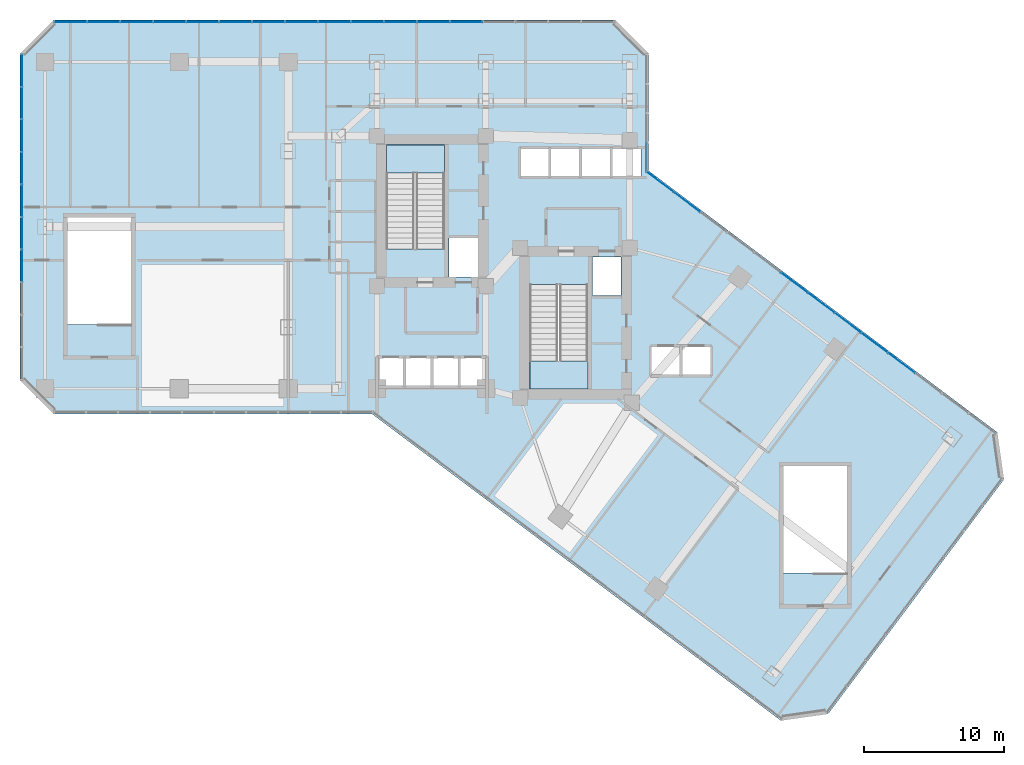
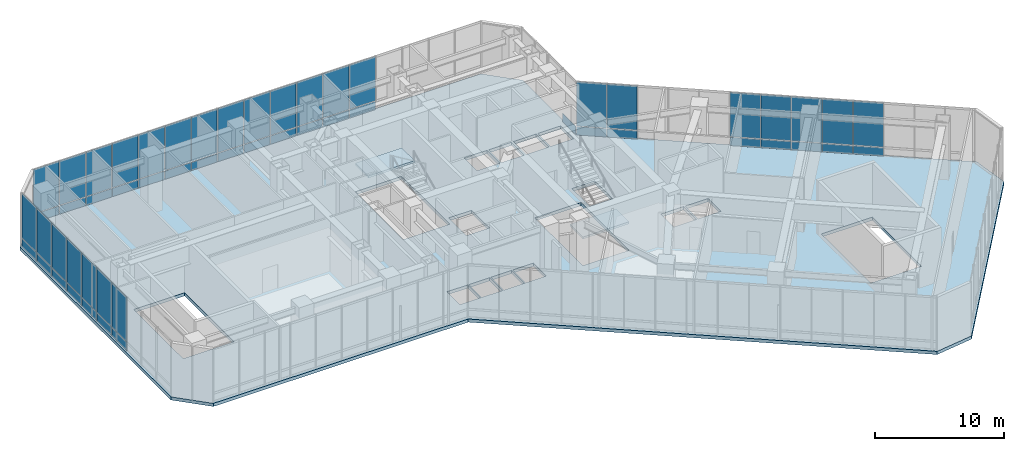
# One storey, part 31 of 38: 55 plates, 3 slabs, 6 elements without a shape of their own.
"""IFC4 building model written with IfcOpenShell, lengths in metres."""

from ifc_helpers import new_model, si_unit, direction, frame, origin, origin_2d, place, context, subcontext, project, spatial, polyline, rectangle, outline, extrude, material, layer, layer_set, type_object, element, aggregate, save


model = new_model("IFC4")

# Units and contexts
model_context = context("Model", 3, precision=1e-05, world=origin(), true_north=direction((0.0, 1.0)))
body_context = subcontext(model_context, "Body", "Model", "MODEL_VIEW")
ifc_project = project(units=[si_unit("LENGTHUNIT", "METRE"), si_unit("AREAUNIT", "SQUARE_METRE"), si_unit("VOLUMEUNIT", "CUBIC_METRE"), si_unit("PLANEANGLEUNIT", "RADIAN"), si_unit("MASSUNIT", "GRAM", prefix="KILO")], contexts=[model_context])

# Site, building, storey
site_placement = place(None, origin())
site = spatial("IfcSite", under=ifc_project, at=site_placement, CompositionType="ELEMENT")
building_placement = place(site_placement, origin())
building = spatial("IfcBuilding", under=site, at=building_placement, Name="Hatsunagi Terrace Concourse", CompositionType="ELEMENT")
storey_placement = place(building_placement, frame((0.0, 0.0, 21.60009765625)))
storey = spatial("IfcBuildingStorey", under=building, at=storey_placement, Name="L05", CompositionType="ELEMENT", Elevation=21.60009765625)

# Curtain wall, plates
ifc_material_1 = material(Name="Anodised Aluminium Alloy 6063-T5", Category="aluminium")
ifc_layer_1 = layer(ifc_material_1, 0.199951171875)
ifc_layer_set_1 = layer_set([ifc_layer_1], Name="PodiumStorefront_CW01")
curtain_wall_type = type_object("IfcCurtainWallType", Name="PodiumStorefront_CW01", PredefinedType="NOTDEFINED", material=ifc_layer_set_1)
curtain_wall_1_placement = place(storey_placement, origin())
curtain_wall_1 = element("IfcCurtainWall", 1, at=curtain_wall_1_placement, inside=storey, type_object=curtain_wall_type, Name="Unitised Curtain Wall CW-01 CW-L05-01", PredefinedType="NOTDEFINED")
ifc_material_2 = material(Name="Warm Terracotta Ceramic Spandrel Panel", Category="masonry")
ifc_layer_2 = layer(ifc_material_2, 0.031982421875)
ifc_layer_set_2 = layer_set([ifc_layer_2], Name="CurtainWallSpandrelPanel_32")
plate_type_1 = type_object("IfcPlateType", Name="CurtainWallSpandrelPanel_32", PredefinedType="SHEET", material=ifc_layer_set_2)
plate_1_placement = place(storey_placement, frame((45.820068359375, 40.010009765625, 0.02978515625), z_axis=(0.0, 0.0, 1.0), x_axis=(0.800007305671, -0.599990258982, 0.0)))
plate_1 = element("IfcPlate", 2, at=plate_1_placement, type_object=plate_type_1, Name="Terracotta Spandrel Panel SPN-01", PredefinedType="SHEET", context=body_context, shape_type="SweptSolid", body=[
    extrude(rectangle(XDim=2.345947265625, YDim=0.031982421875, at=origin_2d()), origin(), (0.0, 0.0, 1.0), 0.7900390625),
])
plate_2_placement = place(storey_placement, frame((47.740966796875, 38.569091796875, 0.02978515625), z_axis=(0.0, 0.0, 1.0), x_axis=(0.800007305671, -0.599990258982, 0.0)))
plate_2 = element("IfcPlate", 3, at=plate_2_placement, type_object=plate_type_1, Name="Terracotta Spandrel Panel SPN-01", PredefinedType="SHEET", context=body_context, shape_type="SweptSolid", body=[
    extrude(rectangle(XDim=2.345947265625, YDim=0.031982421875, at=origin_2d()), origin(), (0.0, 0.0, 1.0), 0.7900390625),
])
plate_3_placement = place(storey_placement, frame((55.424072265625, 32.806884765625, 0.02978515625), z_axis=(0.0, 0.0, 1.0), x_axis=(0.800007305671, -0.599990258982, 0.0)))
plate_3 = element("IfcPlate", 4, at=plate_3_placement, type_object=plate_type_1, Name="Terracotta Spandrel Panel SPN-01", PredefinedType="SHEET", context=body_context, shape_type="SweptSolid", body=[
    extrude(rectangle(XDim=2.345947265625, YDim=0.031982421875, at=origin_2d()), origin(), (0.0, 0.0, 1.0), 0.7900390625),
])
plate_4_placement = place(storey_placement, frame((57.344970703125, 31.365966796875, 0.02978515625), z_axis=(0.0, 0.0, 1.0), x_axis=(0.800007305671, -0.599990258982, 0.0)))
plate_4 = element("IfcPlate", 5, at=plate_4_placement, type_object=plate_type_1, Name="Terracotta Spandrel Panel SPN-01", PredefinedType="SHEET", context=body_context, shape_type="SweptSolid", body=[
    extrude(rectangle(XDim=2.345947265625, YDim=0.031982421875, at=origin_2d()), origin(), (0.0, 0.0, 1.0), 0.7900390625),
])
plate_5_placement = place(storey_placement, frame((59.26611328125, 29.926025390625, 0.02978515625), z_axis=(0.0, 0.0, 1.0), x_axis=(0.800007305671, -0.599990258982, 0.0)))
plate_5 = element("IfcPlate", 6, at=plate_5_placement, type_object=plate_type_1, Name="Terracotta Spandrel Panel SPN-01", PredefinedType="SHEET", context=body_context, shape_type="SweptSolid", body=[
    extrude(rectangle(XDim=2.345947265625, YDim=0.031982421875, at=origin_2d()), origin(), (0.0, 0.0, 1.0), 0.7900390625),
])
plate_6_placement = place(storey_placement, frame((61.18701171875, 28.485107421875, 0.02978515625), z_axis=(0.0, 0.0, 1.0), x_axis=(0.800007305671, -0.599990258982, 0.0)))
plate_6 = element("IfcPlate", 7, at=plate_6_placement, type_object=plate_type_1, Name="Terracotta Spandrel Panel SPN-01", PredefinedType="SHEET", context=body_context, shape_type="SweptSolid", body=[
    extrude(rectangle(XDim=2.345947265625, YDim=0.031982421875, at=origin_2d()), origin(), (0.0, 0.0, 1.0), 0.7900390625),
])
plate_7_placement = place(storey_placement, frame((63.10693359375, 27.044921875, 0.02978515625), z_axis=(0.0, 0.0, 1.0), x_axis=(0.800007305671, -0.599990258982, 0.0)))
plate_7 = element("IfcPlate", 8, at=plate_7_placement, type_object=plate_type_1, Name="Terracotta Spandrel Panel SPN-01", PredefinedType="SHEET", context=body_context, shape_type="SweptSolid", body=[
    extrude(rectangle(XDim=2.345947265625, YDim=0.031982421875, at=origin_2d()), origin(), (0.0, 0.0, 1.0), 0.7900390625),
])

curtain_wall_2_placement = place(storey_placement, origin())
curtain_wall_2 = element("IfcCurtainWall", 9, at=curtain_wall_2_placement, inside=storey, type_object=curtain_wall_type, Name="Unitised Curtain Wall CW-01 CW-L05-09", PredefinedType="NOTDEFINED")
plate_8_placement = place(storey_placement, frame((0.139892578125, 34.007080078125, 0.02978515625), z_axis=(0.0, 0.0, 1.0), x_axis=(0.0, 1.0, 0.0)))
plate_8 = element("IfcPlate", 10, at=plate_8_placement, type_object=plate_type_1, Name="Terracotta Spandrel Panel SPN-01", PredefinedType="SHEET", context=body_context, shape_type="SweptSolid", body=[
    extrude(rectangle(XDim=2.27294921875, YDim=0.031982421875, at=origin_2d()), origin(), (0.0, 0.0, 1.0), 0.7900390625),
])
plate_9_placement = place(storey_placement, frame((0.139892578125, 36.3359375, 0.02978515625), z_axis=(0.0, 0.0, 1.0), x_axis=(0.0, 1.0, 0.0)))
plate_9 = element("IfcPlate", 11, at=plate_9_placement, type_object=plate_type_1, Name="Terracotta Spandrel Panel SPN-01", PredefinedType="SHEET", context=body_context, shape_type="SweptSolid", body=[
    extrude(rectangle(XDim=2.27294921875, YDim=0.031982421875, at=origin_2d()), origin(), (0.0, 0.0, 1.0), 0.7900390625),
])
plate_10_placement = place(storey_placement, frame((0.139892578125, 38.6640625, 0.02978515625), z_axis=(0.0, 0.0, 1.0), x_axis=(0.0, 1.0, 0.0)))
plate_10 = element("IfcPlate", 12, at=plate_10_placement, type_object=plate_type_1, Name="Terracotta Spandrel Panel SPN-01", PredefinedType="SHEET", context=body_context, shape_type="SweptSolid", body=[
    extrude(rectangle(XDim=2.27294921875, YDim=0.031982421875, at=origin_2d()), origin(), (0.0, 0.0, 1.0), 0.7900390625),
])
plate_11_placement = place(storey_placement, frame((0.139892578125, 40.992919921875, 0.02978515625), z_axis=(0.0, 0.0, 1.0), x_axis=(0.0, 1.0, 0.0)))
plate_11 = element("IfcPlate", 13, at=plate_11_placement, type_object=plate_type_1, Name="Terracotta Spandrel Panel SPN-01", PredefinedType="SHEET", context=body_context, shape_type="SweptSolid", body=[
    extrude(rectangle(XDim=2.27294921875, YDim=0.031982421875, at=origin_2d()), origin(), (0.0, 0.0, 1.0), 0.7900390625),
])
plate_12_placement = place(storey_placement, frame((0.139892578125, 43.321044921875, 0.02978515625), z_axis=(0.0, 0.0, 1.0), x_axis=(0.0, 1.0, 0.0)))
plate_12 = element("IfcPlate", 14, at=plate_12_placement, type_object=plate_type_1, Name="Terracotta Spandrel Panel SPN-01", PredefinedType="SHEET", context=body_context, shape_type="SweptSolid", body=[
    extrude(rectangle(XDim=2.27294921875, YDim=0.031982421875, at=origin_2d()), origin(), (0.0, 0.0, 1.0), 0.7900390625),
])
plate_13_placement = place(storey_placement, frame((0.139892578125, 45.64892578125, 0.02978515625), z_axis=(0.0, 0.0, 1.0), x_axis=(0.0, 1.0, 0.0)))
plate_13 = element("IfcPlate", 15, at=plate_13_placement, type_object=plate_type_1, Name="Terracotta Spandrel Panel SPN-01", PredefinedType="SHEET", context=body_context, shape_type="SweptSolid", body=[
    extrude(rectangle(XDim=2.27294921875, YDim=0.031982421875, at=origin_2d()), origin(), (0.0, 0.0, 1.0), 0.7900390625),
])
plate_14_placement = place(storey_placement, frame((0.139892578125, 47.97802734375, 0.02978515625), z_axis=(0.0, 0.0, 1.0), x_axis=(0.0, 1.0, 0.0)))
plate_14 = element("IfcPlate", 16, at=plate_14_placement, type_object=plate_type_1, Name="Terracotta Spandrel Panel SPN-01", PredefinedType="SHEET", context=body_context, shape_type="SweptSolid", body=[
    extrude(rectangle(XDim=2.27294921875, YDim=0.031982421875, at=origin_2d()), origin(), (0.0, 0.0, 1.0), 0.7900390625),
])

curtain_wall_3_placement = place(storey_placement, origin())
curtain_wall_3 = element("IfcCurtainWall", 17, at=curtain_wall_3_placement, inside=storey, type_object=curtain_wall_type, Name="Unitised Curtain Wall CW-01 CW-L05-11", PredefinedType="NOTDEFINED")
plate_15_placement = place(storey_placement, frame((3.636962890625, 51.4599609375, 0.02978515625), z_axis=(0.0, 0.0, 1.0), x_axis=(1.0, 0.0, 0.0)))
plate_15 = element("IfcPlate", 18, at=plate_15_placement, type_object=plate_type_1, Name="Terracotta Spandrel Panel SPN-01", PredefinedType="SHEET", context=body_context, shape_type="SweptSolid", body=[
    extrude(rectangle(XDim=2.302978515625, YDim=0.031982421875, at=origin_2d()), origin(), (0.0, 0.0, 1.0), 0.7900390625),
])
plate_16_placement = place(storey_placement, frame((5.9951171875, 51.4599609375, 0.02978515625), z_axis=(0.0, 0.0, 1.0), x_axis=(1.0, 0.0, 0.0)))
plate_16 = element("IfcPlate", 19, at=plate_16_placement, type_object=plate_type_1, Name="Terracotta Spandrel Panel SPN-01", PredefinedType="SHEET", context=body_context, shape_type="SweptSolid", body=[
    extrude(rectangle(XDim=2.302978515625, YDim=0.031982421875, at=origin_2d()), origin(), (0.0, 0.0, 1.0), 0.7900390625),
])
plate_17_placement = place(storey_placement, frame((8.35302734375, 51.4599609375, 0.02978515625), z_axis=(0.0, 0.0, 1.0), x_axis=(1.0, 0.0, 0.0)))
plate_17 = element("IfcPlate", 20, at=plate_17_placement, type_object=plate_type_1, Name="Terracotta Spandrel Panel SPN-01", PredefinedType="SHEET", context=body_context, shape_type="SweptSolid", body=[
    extrude(rectangle(XDim=2.302978515625, YDim=0.031982421875, at=origin_2d()), origin(), (0.0, 0.0, 1.0), 0.7900390625),
])
plate_18_placement = place(storey_placement, frame((10.7109375, 51.4599609375, 0.02978515625), z_axis=(0.0, 0.0, 1.0), x_axis=(1.0, 0.0, 0.0)))
plate_18 = element("IfcPlate", 21, at=plate_18_placement, type_object=plate_type_1, Name="Terracotta Spandrel Panel SPN-01", PredefinedType="SHEET", context=body_context, shape_type="SweptSolid", body=[
    extrude(rectangle(XDim=2.302978515625, YDim=0.031982421875, at=origin_2d()), origin(), (0.0, 0.0, 1.0), 0.7900390625),
])
plate_19_placement = place(storey_placement, frame((13.068115234375, 51.4599609375, 0.02978515625), z_axis=(0.0, 0.0, 1.0), x_axis=(1.0, 0.0, 0.0)))
plate_19 = element("IfcPlate", 22, at=plate_19_placement, type_object=plate_type_1, Name="Terracotta Spandrel Panel SPN-01", PredefinedType="SHEET", context=body_context, shape_type="SweptSolid", body=[
    extrude(rectangle(XDim=2.302978515625, YDim=0.031982421875, at=origin_2d()), origin(), (0.0, 0.0, 1.0), 0.7900390625),
])
plate_20_placement = place(storey_placement, frame((15.426025390625, 51.4599609375, 0.02978515625), z_axis=(0.0, 0.0, 1.0), x_axis=(1.0, 0.0, 0.0)))
plate_20 = element("IfcPlate", 23, at=plate_20_placement, type_object=plate_type_1, Name="Terracotta Spandrel Panel SPN-01", PredefinedType="SHEET", context=body_context, shape_type="SweptSolid", body=[
    extrude(rectangle(XDim=2.302978515625, YDim=0.031982421875, at=origin_2d()), origin(), (0.0, 0.0, 1.0), 0.7900390625),
])
plate_21_placement = place(storey_placement, frame((17.783935546875, 51.4599609375, 0.02978515625), z_axis=(0.0, 0.0, 1.0), x_axis=(1.0, 0.0, 0.0)))
plate_21 = element("IfcPlate", 24, at=plate_21_placement, type_object=plate_type_1, Name="Terracotta Spandrel Panel SPN-01", PredefinedType="SHEET", context=body_context, shape_type="SweptSolid", body=[
    extrude(rectangle(XDim=2.302978515625, YDim=0.031982421875, at=origin_2d()), origin(), (0.0, 0.0, 1.0), 0.7900390625),
])
plate_22_placement = place(storey_placement, frame((20.14208984375, 51.4599609375, 0.02978515625), z_axis=(0.0, 0.0, 1.0), x_axis=(1.0, 0.0, 0.0)))
plate_22 = element("IfcPlate", 25, at=plate_22_placement, type_object=plate_type_1, Name="Terracotta Spandrel Panel SPN-01", PredefinedType="SHEET", context=body_context, shape_type="SweptSolid", body=[
    extrude(rectangle(XDim=2.302978515625, YDim=0.031982421875, at=origin_2d()), origin(), (0.0, 0.0, 1.0), 0.7900390625),
])
plate_23_placement = place(storey_placement, frame((22.5, 51.4599609375, 0.02978515625), z_axis=(0.0, 0.0, 1.0), x_axis=(1.0, 0.0, 0.0)))
plate_23 = element("IfcPlate", 26, at=plate_23_placement, type_object=plate_type_1, Name="Terracotta Spandrel Panel SPN-01", PredefinedType="SHEET", context=body_context, shape_type="SweptSolid", body=[
    extrude(rectangle(XDim=2.302978515625, YDim=0.031982421875, at=origin_2d()), origin(), (0.0, 0.0, 1.0), 0.7900390625),
])
plate_24_placement = place(storey_placement, frame((24.85791015625, 51.4599609375, 0.02978515625), z_axis=(0.0, 0.0, 1.0), x_axis=(1.0, 0.0, 0.0)))
plate_24 = element("IfcPlate", 27, at=plate_24_placement, type_object=plate_type_1, Name="Terracotta Spandrel Panel SPN-01", PredefinedType="SHEET", context=body_context, shape_type="SweptSolid", body=[
    extrude(rectangle(XDim=2.302978515625, YDim=0.031982421875, at=origin_2d()), origin(), (0.0, 0.0, 1.0), 0.7900390625),
])
plate_25_placement = place(storey_placement, frame((27.216064453125, 51.4599609375, 0.02978515625), z_axis=(0.0, 0.0, 1.0), x_axis=(1.0, 0.0, 0.0)))
plate_25 = element("IfcPlate", 28, at=plate_25_placement, type_object=plate_type_1, Name="Terracotta Spandrel Panel SPN-01", PredefinedType="SHEET", context=body_context, shape_type="SweptSolid", body=[
    extrude(rectangle(XDim=2.302978515625, YDim=0.031982421875, at=origin_2d()), origin(), (0.0, 0.0, 1.0), 0.7900390625),
])
plate_26_placement = place(storey_placement, frame((29.573974609375, 51.4599609375, 0.02978515625), z_axis=(0.0, 0.0, 1.0), x_axis=(1.0, 0.0, 0.0)))
plate_26 = element("IfcPlate", 29, at=plate_26_placement, type_object=plate_type_1, Name="Terracotta Spandrel Panel SPN-01", PredefinedType="SHEET", context=body_context, shape_type="SweptSolid", body=[
    extrude(rectangle(XDim=2.302978515625, YDim=0.031982421875, at=origin_2d()), origin(), (0.0, 0.0, 1.0), 0.7900390625),
])
plate_27_placement = place(storey_placement, frame((31.931884765625, 51.4599609375, 0.02978515625), z_axis=(0.0, 0.0, 1.0), x_axis=(1.0, 0.0, 0.0)))
plate_27 = element("IfcPlate", 30, at=plate_27_placement, type_object=plate_type_1, Name="Terracotta Spandrel Panel SPN-01", PredefinedType="SHEET", context=body_context, shape_type="SweptSolid", body=[
    extrude(rectangle(XDim=2.302978515625, YDim=0.031982421875, at=origin_2d()), origin(), (0.0, 0.0, 1.0), 0.7900390625),
])

# Curtain wall, plate
curtain_wall_4_placement = place(storey_placement, origin())
curtain_wall_4 = element("IfcCurtainWall", 31, at=curtain_wall_4_placement, inside=storey, type_object=curtain_wall_type, Name="Unitised Curtain Wall CW-01 CW-L05-13", PredefinedType="NOTDEFINED")
plate_28_placement = place(storey_placement, frame((44.860107421875, 41.781005859375, 0.02978515625), z_axis=(0.0, 0.0, 1.0), x_axis=(0.0, -1.0, 0.0)))
plate_28 = element("IfcPlate", 32, at=plate_28_placement, type_object=plate_type_1, Name="Terracotta Spandrel Panel SPN-01", PredefinedType="SHEET", context=body_context, shape_type="SweptSolid", body=[
    extrude(rectangle(XDim=2.048095703125, YDim=0.031982421875, at=origin_2d()), origin(), (0.0, 0.0, 1.0), 0.7900390625),
])
aggregate(curtain_wall_4, [plate_28])

# Plate
ifc_material_3 = material(Name="Low-E Double Insulating Glass 28mm", Category="glass")
ifc_layer_3 = layer(ifc_material_3, 0.028076171875)
ifc_layer_set_3 = layer_set([ifc_layer_3], Name="CurtainWallVisionGlass_28")
plate_type_2 = type_object("IfcPlateType", Name="CurtainWallVisionGlass_28", PredefinedType="CURTAIN_PANEL", material=ifc_layer_set_3)
plate_29_placement = place(storey_placement, frame((45.820068359375, 40.010009765625, 0.8798828125), z_axis=(0.0, 0.0, 1.0), x_axis=(0.800007305671, -0.599990258982, 0.0)))
plate_29 = element("IfcPlate", 33, at=plate_29_placement, type_object=plate_type_2, Name="Low-E Vision Glass Panel GLZ-01", PredefinedType="CURTAIN_PANEL", context=body_context, shape_type="SweptSolid", body=[
    extrude(rectangle(XDim=2.345947265625, YDim=0.028076171875, at=origin_2d()), origin(), (0.0, 0.0, 1.0), 4.18994140625),
])

plate_30_placement = place(storey_placement, frame((47.740966796875, 38.569091796875, 0.8798828125), z_axis=(0.0, 0.0, 1.0), x_axis=(0.800007305671, -0.599990258982, 0.0)))
plate_30 = element("IfcPlate", 34, at=plate_30_placement, type_object=plate_type_2, Name="Low-E Vision Glass Panel GLZ-01", PredefinedType="CURTAIN_PANEL", context=body_context, shape_type="SweptSolid", body=[
    extrude(rectangle(XDim=2.345947265625, YDim=0.028076171875, at=origin_2d()), origin(), (0.0, 0.0, 1.0), 4.18994140625),
])

plate_31_placement = place(storey_placement, frame((55.424072265625, 32.806884765625, 0.8798828125), z_axis=(0.0, 0.0, 1.0), x_axis=(0.800007305671, -0.599990258982, 0.0)))
plate_31 = element("IfcPlate", 35, at=plate_31_placement, type_object=plate_type_2, Name="Low-E Vision Glass Panel GLZ-01", PredefinedType="CURTAIN_PANEL", context=body_context, shape_type="SweptSolid", body=[
    extrude(rectangle(XDim=2.345947265625, YDim=0.028076171875, at=origin_2d()), origin(), (0.0, 0.0, 1.0), 4.18994140625),
])

plate_32_placement = place(storey_placement, frame((57.344970703125, 31.365966796875, 0.8798828125), z_axis=(0.0, 0.0, 1.0), x_axis=(0.800007305671, -0.599990258982, 0.0)))
plate_32 = element("IfcPlate", 36, at=plate_32_placement, type_object=plate_type_2, Name="Low-E Vision Glass Panel GLZ-01", PredefinedType="CURTAIN_PANEL", context=body_context, shape_type="SweptSolid", body=[
    extrude(rectangle(XDim=2.345947265625, YDim=0.028076171875, at=origin_2d()), origin(), (0.0, 0.0, 1.0), 4.18994140625),
])

plate_33_placement = place(storey_placement, frame((59.26611328125, 29.926025390625, 0.8798828125), z_axis=(0.0, 0.0, 1.0), x_axis=(0.800007305671, -0.599990258982, 0.0)))
plate_33 = element("IfcPlate", 37, at=plate_33_placement, type_object=plate_type_2, Name="Low-E Vision Glass Panel GLZ-01", PredefinedType="CURTAIN_PANEL", context=body_context, shape_type="SweptSolid", body=[
    extrude(rectangle(XDim=2.345947265625, YDim=0.028076171875, at=origin_2d()), origin(), (0.0, 0.0, 1.0), 4.18994140625),
])

plate_34_placement = place(storey_placement, frame((61.18701171875, 28.485107421875, 0.8798828125), z_axis=(0.0, 0.0, 1.0), x_axis=(0.800007305671, -0.599990258982, 0.0)))
plate_34 = element("IfcPlate", 38, at=plate_34_placement, type_object=plate_type_2, Name="Low-E Vision Glass Panel GLZ-01", PredefinedType="CURTAIN_PANEL", context=body_context, shape_type="SweptSolid", body=[
    extrude(rectangle(XDim=2.345947265625, YDim=0.028076171875, at=origin_2d()), origin(), (0.0, 0.0, 1.0), 4.18994140625),
])

plate_35_placement = place(storey_placement, frame((63.10693359375, 27.044921875, 0.8798828125), z_axis=(0.0, 0.0, 1.0), x_axis=(0.800007305671, -0.599990258982, 0.0)))
plate_35 = element("IfcPlate", 39, at=plate_35_placement, type_object=plate_type_2, Name="Low-E Vision Glass Panel GLZ-01", PredefinedType="CURTAIN_PANEL", context=body_context, shape_type="SweptSolid", body=[
    extrude(rectangle(XDim=2.345947265625, YDim=0.028076171875, at=origin_2d()), origin(), (0.0, 0.0, 1.0), 4.18994140625),
])

aggregate(curtain_wall_1, [plate_1, plate_29, plate_2, plate_30, plate_3, plate_31, plate_4, plate_32, plate_5, plate_33, plate_6, plate_34, plate_7, plate_35])

plate_36_placement = place(storey_placement, frame((0.139892578125, 34.007080078125, 0.8798828125), z_axis=(0.0, 0.0, 1.0), x_axis=(0.0, 1.0, 0.0)))
plate_36 = element("IfcPlate", 40, at=plate_36_placement, type_object=plate_type_2, Name="Low-E Vision Glass Panel GLZ-01", PredefinedType="CURTAIN_PANEL", context=body_context, shape_type="SweptSolid", body=[
    extrude(rectangle(XDim=2.27294921875, YDim=0.028076171875, at=origin_2d()), origin(), (0.0, 0.0, 1.0), 4.18994140625),
])

plate_37_placement = place(storey_placement, frame((0.139892578125, 36.3359375, 0.8798828125), z_axis=(0.0, 0.0, 1.0), x_axis=(0.0, 1.0, 0.0)))
plate_37 = element("IfcPlate", 41, at=plate_37_placement, type_object=plate_type_2, Name="Low-E Vision Glass Panel GLZ-01", PredefinedType="CURTAIN_PANEL", context=body_context, shape_type="SweptSolid", body=[
    extrude(rectangle(XDim=2.27294921875, YDim=0.028076171875, at=origin_2d()), origin(), (0.0, 0.0, 1.0), 4.18994140625),
])

plate_38_placement = place(storey_placement, frame((0.139892578125, 38.6640625, 0.8798828125), z_axis=(0.0, 0.0, 1.0), x_axis=(0.0, 1.0, 0.0)))
plate_38 = element("IfcPlate", 42, at=plate_38_placement, type_object=plate_type_2, Name="Low-E Vision Glass Panel GLZ-01", PredefinedType="CURTAIN_PANEL", context=body_context, shape_type="SweptSolid", body=[
    extrude(rectangle(XDim=2.27294921875, YDim=0.028076171875, at=origin_2d()), origin(), (0.0, 0.0, 1.0), 4.18994140625),
])

plate_39_placement = place(storey_placement, frame((0.139892578125, 40.992919921875, 0.8798828125), z_axis=(0.0, 0.0, 1.0), x_axis=(0.0, 1.0, 0.0)))
plate_39 = element("IfcPlate", 43, at=plate_39_placement, type_object=plate_type_2, Name="Low-E Vision Glass Panel GLZ-01", PredefinedType="CURTAIN_PANEL", context=body_context, shape_type="SweptSolid", body=[
    extrude(rectangle(XDim=2.27294921875, YDim=0.028076171875, at=origin_2d()), origin(), (0.0, 0.0, 1.0), 4.18994140625),
])

plate_40_placement = place(storey_placement, frame((0.139892578125, 43.321044921875, 0.8798828125), z_axis=(0.0, 0.0, 1.0), x_axis=(0.0, 1.0, 0.0)))
plate_40 = element("IfcPlate", 44, at=plate_40_placement, type_object=plate_type_2, Name="Low-E Vision Glass Panel GLZ-01", PredefinedType="CURTAIN_PANEL", context=body_context, shape_type="SweptSolid", body=[
    extrude(rectangle(XDim=2.27294921875, YDim=0.028076171875, at=origin_2d()), origin(), (0.0, 0.0, 1.0), 4.18994140625),
])

plate_41_placement = place(storey_placement, frame((0.139892578125, 45.64892578125, 0.8798828125), z_axis=(0.0, 0.0, 1.0), x_axis=(0.0, 1.0, 0.0)))
plate_41 = element("IfcPlate", 45, at=plate_41_placement, type_object=plate_type_2, Name="Low-E Vision Glass Panel GLZ-01", PredefinedType="CURTAIN_PANEL", context=body_context, shape_type="SweptSolid", body=[
    extrude(rectangle(XDim=2.27294921875, YDim=0.028076171875, at=origin_2d()), origin(), (0.0, 0.0, 1.0), 4.18994140625),
])

plate_42_placement = place(storey_placement, frame((0.139892578125, 47.97802734375, 0.8798828125), z_axis=(0.0, 0.0, 1.0), x_axis=(0.0, 1.0, 0.0)))
plate_42 = element("IfcPlate", 46, at=plate_42_placement, type_object=plate_type_2, Name="Low-E Vision Glass Panel GLZ-01", PredefinedType="CURTAIN_PANEL", context=body_context, shape_type="SweptSolid", body=[
    extrude(rectangle(XDim=2.27294921875, YDim=0.028076171875, at=origin_2d()), origin(), (0.0, 0.0, 1.0), 4.18994140625),
])

aggregate(curtain_wall_2, [plate_8, plate_36, plate_9, plate_37, plate_10, plate_38, plate_11, plate_39, plate_12, plate_40, plate_13, plate_41, plate_14, plate_42])

plate_43_placement = place(storey_placement, frame((3.636962890625, 51.4599609375, 0.8798828125), z_axis=(0.0, 0.0, 1.0), x_axis=(1.0, 0.0, 0.0)))
plate_43 = element("IfcPlate", 47, at=plate_43_placement, type_object=plate_type_2, Name="Low-E Vision Glass Panel GLZ-01", PredefinedType="CURTAIN_PANEL", context=body_context, shape_type="SweptSolid", body=[
    extrude(rectangle(XDim=2.302978515625, YDim=0.028076171875, at=origin_2d()), origin(), (0.0, 0.0, 1.0), 4.18994140625),
])

plate_44_placement = place(storey_placement, frame((5.9951171875, 51.4599609375, 0.8798828125), z_axis=(0.0, 0.0, 1.0), x_axis=(1.0, 0.0, 0.0)))
plate_44 = element("IfcPlate", 48, at=plate_44_placement, type_object=plate_type_2, Name="Low-E Vision Glass Panel GLZ-01", PredefinedType="CURTAIN_PANEL", context=body_context, shape_type="SweptSolid", body=[
    extrude(rectangle(XDim=2.302978515625, YDim=0.028076171875, at=origin_2d()), origin(), (0.0, 0.0, 1.0), 4.18994140625),
])

plate_45_placement = place(storey_placement, frame((8.35302734375, 51.4599609375, 0.8798828125), z_axis=(0.0, 0.0, 1.0), x_axis=(1.0, 0.0, 0.0)))
plate_45 = element("IfcPlate", 49, at=plate_45_placement, type_object=plate_type_2, Name="Low-E Vision Glass Panel GLZ-01", PredefinedType="CURTAIN_PANEL", context=body_context, shape_type="SweptSolid", body=[
    extrude(rectangle(XDim=2.302978515625, YDim=0.028076171875, at=origin_2d()), origin(), (0.0, 0.0, 1.0), 4.18994140625),
])

plate_46_placement = place(storey_placement, frame((10.7109375, 51.4599609375, 0.8798828125), z_axis=(0.0, 0.0, 1.0), x_axis=(1.0, 0.0, 0.0)))
plate_46 = element("IfcPlate", 50, at=plate_46_placement, type_object=plate_type_2, Name="Low-E Vision Glass Panel GLZ-01", PredefinedType="CURTAIN_PANEL", context=body_context, shape_type="SweptSolid", body=[
    extrude(rectangle(XDim=2.302978515625, YDim=0.028076171875, at=origin_2d()), origin(), (0.0, 0.0, 1.0), 4.18994140625),
])

plate_47_placement = place(storey_placement, frame((13.068115234375, 51.4599609375, 0.8798828125), z_axis=(0.0, 0.0, 1.0), x_axis=(1.0, 0.0, 0.0)))
plate_47 = element("IfcPlate", 51, at=plate_47_placement, type_object=plate_type_2, Name="Low-E Vision Glass Panel GLZ-01", PredefinedType="CURTAIN_PANEL", context=body_context, shape_type="SweptSolid", body=[
    extrude(rectangle(XDim=2.302978515625, YDim=0.028076171875, at=origin_2d()), origin(), (0.0, 0.0, 1.0), 4.18994140625),
])

plate_48_placement = place(storey_placement, frame((15.426025390625, 51.4599609375, 0.8798828125), z_axis=(0.0, 0.0, 1.0), x_axis=(1.0, 0.0, 0.0)))
plate_48 = element("IfcPlate", 52, at=plate_48_placement, type_object=plate_type_2, Name="Low-E Vision Glass Panel GLZ-01", PredefinedType="CURTAIN_PANEL", context=body_context, shape_type="SweptSolid", body=[
    extrude(rectangle(XDim=2.302978515625, YDim=0.028076171875, at=origin_2d()), origin(), (0.0, 0.0, 1.0), 4.18994140625),
])

plate_49_placement = place(storey_placement, frame((17.783935546875, 51.4599609375, 0.8798828125), z_axis=(0.0, 0.0, 1.0), x_axis=(1.0, 0.0, 0.0)))
plate_49 = element("IfcPlate", 53, at=plate_49_placement, type_object=plate_type_2, Name="Low-E Vision Glass Panel GLZ-01", PredefinedType="CURTAIN_PANEL", context=body_context, shape_type="SweptSolid", body=[
    extrude(rectangle(XDim=2.302978515625, YDim=0.028076171875, at=origin_2d()), origin(), (0.0, 0.0, 1.0), 4.18994140625),
])

plate_50_placement = place(storey_placement, frame((20.14208984375, 51.4599609375, 0.8798828125), z_axis=(0.0, 0.0, 1.0), x_axis=(1.0, 0.0, 0.0)))
plate_50 = element("IfcPlate", 54, at=plate_50_placement, type_object=plate_type_2, Name="Low-E Vision Glass Panel GLZ-01", PredefinedType="CURTAIN_PANEL", context=body_context, shape_type="SweptSolid", body=[
    extrude(rectangle(XDim=2.302978515625, YDim=0.028076171875, at=origin_2d()), origin(), (0.0, 0.0, 1.0), 4.18994140625),
])

plate_51_placement = place(storey_placement, frame((22.5, 51.4599609375, 0.8798828125), z_axis=(0.0, 0.0, 1.0), x_axis=(1.0, 0.0, 0.0)))
plate_51 = element("IfcPlate", 55, at=plate_51_placement, type_object=plate_type_2, Name="Low-E Vision Glass Panel GLZ-01", PredefinedType="CURTAIN_PANEL", context=body_context, shape_type="SweptSolid", body=[
    extrude(rectangle(XDim=2.302978515625, YDim=0.028076171875, at=origin_2d()), origin(), (0.0, 0.0, 1.0), 4.18994140625),
])

plate_52_placement = place(storey_placement, frame((24.85791015625, 51.4599609375, 0.8798828125), z_axis=(0.0, 0.0, 1.0), x_axis=(1.0, 0.0, 0.0)))
plate_52 = element("IfcPlate", 56, at=plate_52_placement, type_object=plate_type_2, Name="Low-E Vision Glass Panel GLZ-01", PredefinedType="CURTAIN_PANEL", context=body_context, shape_type="SweptSolid", body=[
    extrude(rectangle(XDim=2.302978515625, YDim=0.028076171875, at=origin_2d()), origin(), (0.0, 0.0, 1.0), 4.18994140625),
])

plate_53_placement = place(storey_placement, frame((27.216064453125, 51.4599609375, 0.8798828125), z_axis=(0.0, 0.0, 1.0), x_axis=(1.0, 0.0, 0.0)))
plate_53 = element("IfcPlate", 57, at=plate_53_placement, type_object=plate_type_2, Name="Low-E Vision Glass Panel GLZ-01", PredefinedType="CURTAIN_PANEL", context=body_context, shape_type="SweptSolid", body=[
    extrude(rectangle(XDim=2.302978515625, YDim=0.028076171875, at=origin_2d()), origin(), (0.0, 0.0, 1.0), 4.18994140625),
])

plate_54_placement = place(storey_placement, frame((29.573974609375, 51.4599609375, 0.8798828125), z_axis=(0.0, 0.0, 1.0), x_axis=(1.0, 0.0, 0.0)))
plate_54 = element("IfcPlate", 58, at=plate_54_placement, type_object=plate_type_2, Name="Low-E Vision Glass Panel GLZ-01", PredefinedType="CURTAIN_PANEL", context=body_context, shape_type="SweptSolid", body=[
    extrude(rectangle(XDim=2.302978515625, YDim=0.028076171875, at=origin_2d()), origin(), (0.0, 0.0, 1.0), 4.18994140625),
])

plate_55_placement = place(storey_placement, frame((31.931884765625, 51.4599609375, 0.8798828125), z_axis=(0.0, 0.0, 1.0), x_axis=(1.0, 0.0, 0.0)))
plate_55 = element("IfcPlate", 59, at=plate_55_placement, type_object=plate_type_2, Name="Low-E Vision Glass Panel GLZ-01", PredefinedType="CURTAIN_PANEL", context=body_context, shape_type="SweptSolid", body=[
    extrude(rectangle(XDim=2.302978515625, YDim=0.028076171875, at=origin_2d()), origin(), (0.0, 0.0, 1.0), 4.18994140625),
])

aggregate(curtain_wall_3, [plate_15, plate_43, plate_16, plate_44, plate_17, plate_45, plate_18, plate_46, plate_19, plate_47, plate_20, plate_48, plate_21, plate_49, plate_22, plate_50, plate_23, plate_51, plate_24, plate_52, plate_25, plate_53, plate_26, plate_54, plate_27, plate_55])

# Stair, slab
ifc_material_4 = material(Name="Concrete Fc42", Category="concrete")
stair_type = type_object("IfcStairType", Name="DoglegExitStair_Tower2000_30R_180", PredefinedType="HALF_TURN_STAIR", material=ifc_material_4)
stair_1_placement = place(storey_placement, origin())
stair_1 = element("IfcStair", 60, at=stair_1_placement, inside=storey, type_object=stair_type, Name="L05 Core A Protected Exit Stair ST-A", PredefinedType="HALF_TURN_STAIR")
ifc_material_5 = material(Name="Concrete Fc42", Category="concrete")
ifc_layer_4 = layer(ifc_material_5, 0.199951171875)
ifc_layer_set_4 = layer_set([ifc_layer_4], Name="DoglegStairLanding_Tower2000")
slab_type_1 = type_object("IfcSlabType", Name="DoglegStairLanding_Tower2000", PredefinedType="LANDING", material=ifc_layer_set_4)
slab_1_placement = place(storey_placement, frame((0.0, 0.0, 2.5)))
slab_1 = element("IfcSlab", 61, at=slab_1_placement, type_object=slab_type_1, Name="ST-A landing 1", PredefinedType="LANDING", context=body_context, shape_type="SweptSolid", body=[
    extrude(outline(polyline([(30.3798828125, 40.659912109375), (30.3798828125, 42.659912109375), (26.22998046875, 42.659912109375), (26.22998046875, 40.659912109375), (30.3798828125, 40.659912109375)])), origin(), (0.0, 0.0, 1.0), 0.199951171875),
])
aggregate(stair_1, [slab_1])

stair_2_placement = place(storey_placement, origin())
stair_2 = element("IfcStair", 62, at=stair_2_placement, inside=storey, type_object=stair_type, Name="L05 Core B Protected Exit Stair ST-B", PredefinedType="HALF_TURN_STAIR")
slab_2_placement = place(storey_placement, frame((0.0, 0.0, 2.5)))
slab_2 = element("IfcSlab", 63, at=slab_2_placement, type_object=slab_type_1, Name="ST-B landing 1", PredefinedType="LANDING", context=body_context, shape_type="SweptSolid", body=[
    extrude(outline(polyline([(36.5, 27.199951171875), (36.5, 25.199951171875), (40.64990234375, 25.199951171875), (40.64990234375, 27.199951171875), (36.5, 27.199951171875)])), origin(), (0.0, 0.0, 1.0), 0.199951171875),
])
aggregate(stair_2, [slab_2])

# Slab
ifc_material_6 = material(Name="Concrete Fc42", Category="concrete")
ifc_layer_5 = layer(ifc_material_6, 0.300048828125)
ifc_layer_set_5 = layer_set([ifc_layer_5], Name="PodiumTransferSlab_Fc42_300")
slab_type_2 = type_object("IfcSlabType", Name="PodiumTransferSlab_Fc42_300", PredefinedType="FLOOR", material=ifc_layer_set_5)
slab_3_placement = place(storey_placement, frame((0.0, 0.0, -0.300048828125)))
element("IfcSlab", 64, at=slab_3_placement, inside=storey, type_object=slab_type_2, Name="Floor Slab SL-300 L05", PredefinedType="FLOOR", context=body_context, shape_type="SweptSolid", body=[
    extrude(outline(polyline([(45.0, 40.800048828125), (45.0, 49.199951171875), (42.60009765625, 51.60009765625), (2.39990234375, 51.60009765625), (0.0, 49.199951171875), (0.0, 25.800048828125), (2.39990234375, 23.39990234375), (25.199951171875, 23.39990234375), (54.47998046875, 1.43994140625), (57.840087890625, 1.919921875), (70.43994140625, 18.719970703125), (69.9599609375, 22.080078125), (45.0, 40.800048828125)]), holes=[polyline([(26.22998046875, 35.205078125), (30.3798828125, 35.205078125), (30.3798828125, 42.659912109375), (26.22998046875, 42.659912109375), (26.22998046875, 35.205078125)]), polyline([(36.5, 25.199951171875), (40.64990234375, 25.199951171875), (40.64990234375, 32.655029296875), (36.5, 32.655029296875), (36.5, 25.199951171875)]), polyline([(3.39990234375, 29.804931640625), (7.949951171875, 29.804931640625), (7.949951171875, 37.4599609375), (3.39990234375, 37.4599609375), (3.39990234375, 29.804931640625)]), polyline([(54.64990234375, 12.0048828125), (59.199951171875, 12.0048828125), (59.199951171875, 19.659912109375), (54.64990234375, 19.659912109375), (54.64990234375, 12.0048828125)]), polyline([(30.719970703125, 33.219970703125), (32.780029296875, 33.219970703125), (32.780029296875, 35.97998046875), (30.719970703125, 35.97998046875), (30.719970703125, 33.219970703125)]), polyline([(40.97998046875, 31.8798828125), (43.02001953125, 31.8798828125), (43.02001953125, 34.639892578125), (40.97998046875, 34.639892578125), (40.97998046875, 31.8798828125)]), polyline([(25.6201171875, 25.39990234375), (27.47998046875, 25.39990234375), (27.47998046875, 27.39990234375), (25.6201171875, 27.39990234375), (25.6201171875, 25.39990234375)]), polyline([(27.580078125, 25.39990234375), (29.43994140625, 25.39990234375), (29.43994140625, 27.39990234375), (27.580078125, 27.39990234375), (27.580078125, 25.39990234375)]), polyline([(29.5400390625, 25.39990234375), (31.39990234375, 25.39990234375), (31.39990234375, 27.39990234375), (29.5400390625, 27.39990234375), (29.5400390625, 25.39990234375)]), polyline([(31.5, 25.39990234375), (33.360107421875, 25.39990234375), (33.360107421875, 27.39990234375), (31.5, 27.39990234375), (31.5, 25.39990234375)]), polyline([(35.800048828125, 40.39990234375), (37.85009765625, 40.39990234375), (37.85009765625, 42.39990234375), (35.800048828125, 42.39990234375), (35.800048828125, 40.39990234375)]), polyline([(38.0, 40.39990234375), (40.050048828125, 40.39990234375), (40.050048828125, 42.39990234375), (38.0, 42.39990234375), (38.0, 40.39990234375)]), polyline([(40.199951171875, 40.39990234375), (42.25, 40.39990234375), (42.25, 42.39990234375), (40.199951171875, 42.39990234375), (40.199951171875, 40.39990234375)]), polyline([(42.39990234375, 40.39990234375), (44.449951171875, 40.39990234375), (44.449951171875, 42.39990234375), (42.39990234375, 42.39990234375), (42.39990234375, 40.39990234375)]), polyline([(45.199951171875, 26.199951171875), (47.25, 26.199951171875), (47.25, 28.199951171875), (45.199951171875, 28.199951171875), (45.199951171875, 26.199951171875)]), polyline([(47.39990234375, 26.199951171875), (49.449951171875, 26.199951171875), (49.449951171875, 28.199951171875), (47.39990234375, 28.199951171875), (47.39990234375, 26.199951171875)])]), origin(), (0.0, 0.0, 1.0), 0.300048828125),
])

save(model, "model.ifc")
